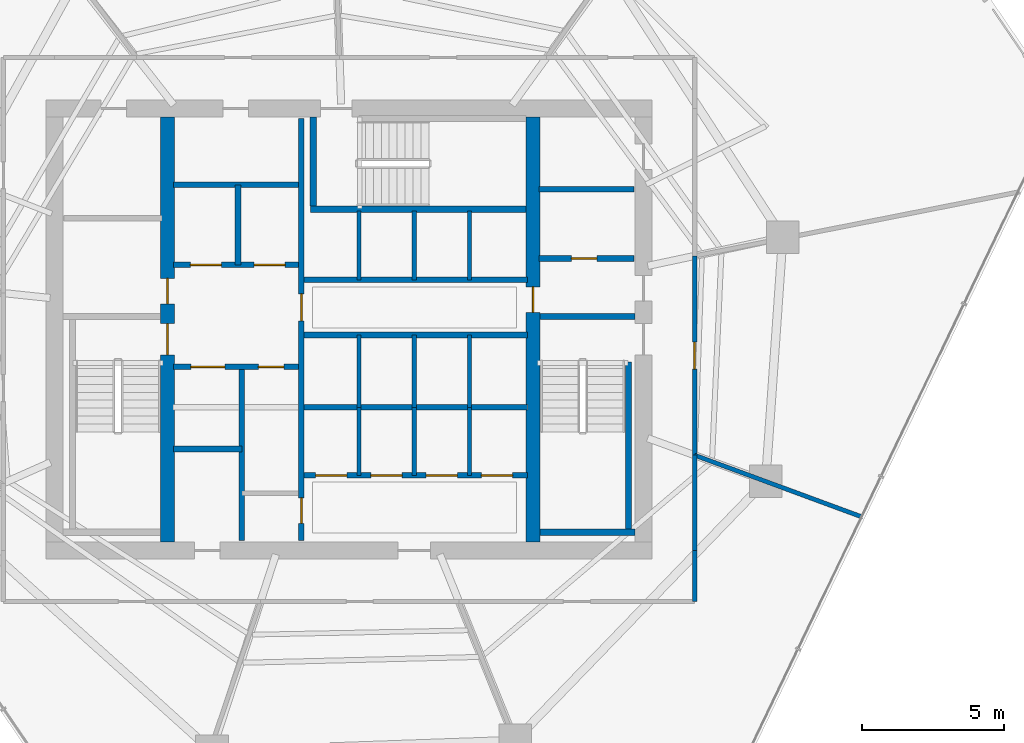
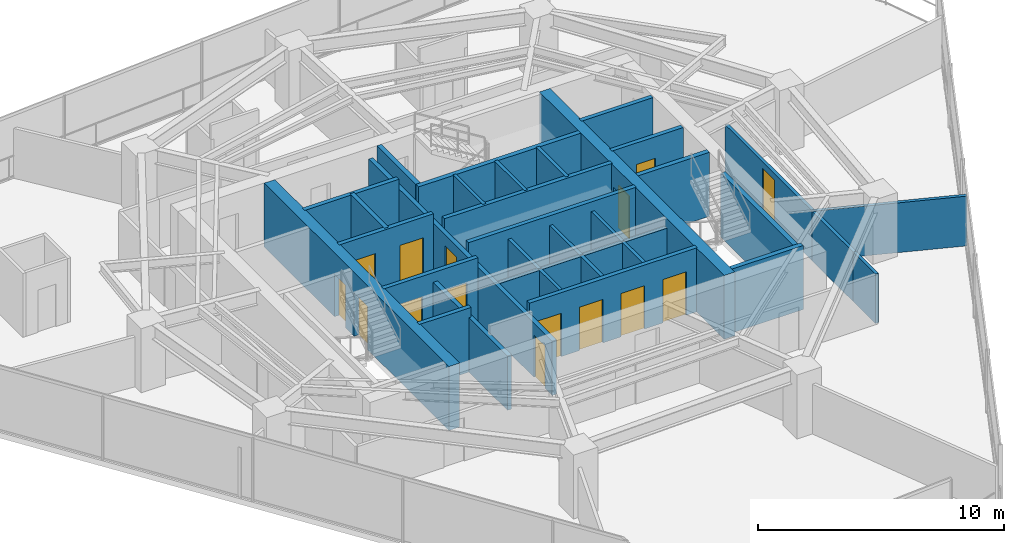
# One storey, part 25 of 30: 33 walls, 15 doors, 15 openings.
"""IFC4 building model written with IfcOpenShell, lengths in metres."""

from ifc_helpers import new_model, si_unit, direction, frame, frame_2d, origin, place, context, subcontext, project, spatial, rectangle, extrude, material, layer, layer_set, type_object, element, fill, save


model = new_model("IFC4")

# Units and contexts
model_context = context("Model", 3, precision=1e-05, world=origin(), true_north=direction((0.0, 1.0)))
body_context = subcontext(model_context, "Body", "Model", "MODEL_VIEW")
ifc_project = project(units=[si_unit("LENGTHUNIT", "METRE"), si_unit("AREAUNIT", "SQUARE_METRE"), si_unit("VOLUMEUNIT", "CUBIC_METRE"), si_unit("PLANEANGLEUNIT", "RADIAN"), si_unit("MASSUNIT", "GRAM", prefix="KILO")], contexts=[model_context])

# Site, building, storey
site_placement = place(None, origin())
site = spatial("IfcSite", under=ifc_project, at=site_placement, CompositionType="ELEMENT")
building_placement = place(site_placement, origin())
building = spatial("IfcBuilding", under=site, at=building_placement, Name="Qarnah Convention Tower", CompositionType="ELEMENT")
storey_placement = place(building_placement, frame((0.0, 0.0, 83.25)))
storey = spatial("IfcBuildingStorey", under=building, at=storey_placement, Name="L21", CompositionType="ELEMENT", Elevation=83.25)

# Wall, openings, doors
ifc_material_1 = material(Name="Concrete C60/75", Category="concrete")
ifc_layer_1 = layer(ifc_material_1, 0.5)
ifc_layer_set_1 = layer_set([ifc_layer_1], Name="Concrete C60/75")
wall_type_1 = type_object("IfcWallType", Name="WL-CORE-INT-400", PredefinedType="SHEAR", material=ifc_layer_set_1)
wall_1_placement = place(storey_placement, frame((30.800048828125, 18.89990234375, 0.0), z_axis=(0.0, 0.0, 1.0), x_axis=(0.0, 1.0, 0.0)))
wall_1 = element("IfcWall", 1, at=wall_1_placement, inside=storey, type_object=wall_type_1, Name="L21 core west spine shear wall", PredefinedType="SHEAR", context=body_context, shape_type="SweptSolid", body=[
    extrude(rectangle(XDim=15.0, YDim=0.5, at=frame_2d((7.5, 0.0))), origin(), (0.0, 0.0, 1.0), 3.169921875),
])
opening_1_placement = place(wall_1_placement, frame((6.60009765625, 0.0, 0.0)))
opening_1 = element("IfcOpeningElement", 2, at=opening_1_placement, cuts=wall_1, Name="Opening D-2101", PredefinedType="OPENING", context=body_context, shape_type="SweptSolid", body=[
    extrude(rectangle(XDim=1.10009765625, YDim=2.14990234375, at=frame_2d((0.550048828125, 1.074951171875))), frame((0.0, 0.260009765625, 0.0), z_axis=(0.0, -1.0, 0.0), x_axis=(1.0, 0.0, 0.0)), (0.0, 0.0, 1.0), 0.52001953125),
])
opening_2_placement = place(wall_1_placement, frame((8.39990234375, 0.0, 0.0)))
opening_2 = element("IfcOpeningElement", 3, at=opening_2_placement, cuts=wall_1, Name="Opening D-2108", PredefinedType="OPENING", context=body_context, shape_type="SweptSolid", body=[
    extrude(rectangle(XDim=0.89990234375, YDim=2.10009765625, at=frame_2d((0.449951171875, 1.050048828125))), frame((0.0, 0.260009765625, 0.0), z_axis=(0.0, -1.0, 0.0), x_axis=(1.0, 0.0, 0.0)), (0.0, 0.0, 1.0), 0.52001953125),
])
ifc_material_2 = material(Name="Structural steel S355JR", Category="steel")
door_type_1 = type_object("IfcDoorType", Name="DT-RISER-900", OperationType="NOTDEFINED", PredefinedType="DOOR", material=ifc_material_2)
door_1_placement = place(opening_2_placement, origin())
door_1 = element("IfcDoor", 4, at=door_1_placement, inside=storey, type_object=door_type_1, Name="Door D-2108", OperationType="SINGLE_SWING_RIGHT", OverallHeight=2.10009765625, OverallWidth=0.89990234375, PredefinedType="DOOR", context=body_context, shape_type="SweptSolid", body=[
    extrude(rectangle(XDim=0.89990234375, YDim=2.10009765625, at=frame_2d((0.449951171875, 1.050048828125))), frame((0.0, 0.02490234375, 0.0), z_axis=(0.0, -1.0, 0.0), x_axis=(1.0, 0.0, 0.0)), (0.0, 0.0, 1.0), 0.050048828125),
])
fill(opening_2, door_1)
door_type_2 = type_object("IfcDoorType", Name="DT-STAIR-1100", OperationType="NOTDEFINED", PredefinedType="DOOR", material=ifc_material_2)
door_2_placement = place(opening_1_placement, origin())
door_2 = element("IfcDoor", 5, at=door_2_placement, inside=storey, type_object=door_type_2, Name="Door D-2101", OperationType="SINGLE_SWING_LEFT", OverallHeight=2.14990234375, OverallWidth=1.10009765625, PredefinedType="DOOR", context=body_context, shape_type="SweptSolid", body=[
    extrude(rectangle(XDim=1.10009765625, YDim=2.14990234375, at=frame_2d((0.550048828125, 1.074951171875))), frame((0.0, 0.02490234375, 0.0), z_axis=(0.0, -1.0, 0.0), x_axis=(1.0, 0.0, 0.0)), (0.0, 0.0, 1.0), 0.050048828125),
])
fill(opening_1, door_2)

# Wall, opening, door
wall_2_placement = place(storey_placement, frame((43.699951171875, 18.89990234375, 0.0), z_axis=(0.0, 0.0, 1.0), x_axis=(0.0, 1.0, 0.0)))
wall_2 = element("IfcWall", 6, at=wall_2_placement, inside=storey, type_object=wall_type_1, Name="L21 core east spine shear wall", PredefinedType="SHEAR", context=body_context, shape_type="SweptSolid", body=[
    extrude(rectangle(XDim=15.0, YDim=0.5, at=frame_2d((7.5, 0.0))), origin(), (0.0, 0.0, 1.0), 3.169921875),
])
opening_3_placement = place(wall_2_placement, frame((8.10009765625, 0.0, 0.0)))
opening_3 = element("IfcOpeningElement", 7, at=opening_3_placement, cuts=wall_2, Name="Opening D-2105", PredefinedType="OPENING", context=body_context, shape_type="SweptSolid", body=[
    extrude(rectangle(XDim=0.89990234375, YDim=2.10009765625, at=frame_2d((0.449951171875, 1.050048828125))), frame((0.0, 0.260009765625, 0.0), z_axis=(0.0, -1.0, 0.0), x_axis=(1.0, 0.0, 0.0)), (0.0, 0.0, 1.0), 0.52001953125),
])
door_3_placement = place(opening_3_placement, origin())
door_3 = element("IfcDoor", 8, at=door_3_placement, inside=storey, type_object=door_type_1, Name="Door D-2105", OperationType="SINGLE_SWING_LEFT", OverallHeight=2.10009765625, OverallWidth=0.89990234375, PredefinedType="DOOR", context=body_context, shape_type="SweptSolid", body=[
    extrude(rectangle(XDim=0.89990234375, YDim=2.10009765625, at=frame_2d((0.449951171875, 1.050048828125))), frame((0.0, 0.02490234375, 0.0), z_axis=(0.0, -1.0, 0.0), x_axis=(1.0, 0.0, 0.0)), (0.0, 0.0, 1.0), 0.050048828125),
])
fill(opening_3, door_3)

ifc_material_3 = material(Name="Concrete C45/55", Category="concrete")
ifc_layer_2 = layer(ifc_material_3, 0.199951171875)
ifc_layer_set_2 = layer_set([ifc_layer_2], Name="Concrete C45/55")
wall_type_2 = type_object("IfcWallType", Name="WL-CORE-PART-200", PredefinedType="SOLIDWALL", material=ifc_layer_set_2)
wall_3_placement = place(storey_placement, frame((43.89990234375, 28.89990234375, 0.0), z_axis=(0.0, 0.0, 1.0), x_axis=(1.0, 0.0, 0.0)))
wall_3 = element("IfcWall", 9, at=wall_3_placement, inside=storey, type_object=wall_type_2, Name="L21 interior wall IW-L21-EVSTN", PredefinedType="SOLIDWALL", context=body_context, shape_type="SweptSolid", body=[
    extrude(rectangle(XDim=3.35009765625, YDim=0.199951171875, at=frame_2d((1.675048828125, 0.0))), origin(), (0.0, 0.0, 1.0), 3.169921875),
])
opening_4_placement = place(wall_3_placement, frame((1.14990234375, 0.0, 0.0)))
opening_4 = element("IfcOpeningElement", 10, at=opening_4_placement, cuts=wall_3, Name="Opening D-2111", PredefinedType="OPENING", context=body_context, shape_type="SweptSolid", body=[
    extrude(rectangle(XDim=0.89990234375, YDim=2.10009765625, at=frame_2d((0.449951171875, 1.050048828125))), frame((0.0, 0.10986328125, 0.0), z_axis=(0.0, -1.0, 0.0), x_axis=(1.0, 0.0, 0.0)), (0.0, 0.0, 1.0), 0.219970703125),
])
door_4_placement = place(opening_4_placement, origin())
door_4 = element("IfcDoor", 11, at=door_4_placement, inside=storey, type_object=door_type_1, Name="Door D-2111", OperationType="SINGLE_SWING_LEFT", OverallHeight=2.10009765625, OverallWidth=0.89990234375, PredefinedType="DOOR", context=body_context, shape_type="SweptSolid", body=[
    extrude(rectangle(XDim=0.89990234375, YDim=2.10009765625, at=frame_2d((0.449951171875, 1.050048828125))), frame((0.0, 0.02490234375, 0.0), z_axis=(0.0, -1.0, 0.0), x_axis=(1.0, 0.0, 0.0)), (0.0, 0.0, 1.0), 0.050048828125),
])
fill(opening_4, door_4)

# Wall
wall_4_placement = place(storey_placement, frame((43.89990234375, 31.35009765625, 0.0), z_axis=(0.0, 0.0, 1.0), x_axis=(1.0, 0.0, 0.0)))
element("IfcWall", 12, at=wall_4_placement, inside=storey, type_object=wall_type_2, Name="L21 interior wall IW-L21-WTRN", PredefinedType="SOLIDWALL", context=body_context, shape_type="SweptSolid", body=[
    extrude(rectangle(XDim=3.35009765625, YDim=0.199951171875, at=frame_2d((1.675048828125, 0.0))), origin(), (0.0, 0.0, 1.0), 3.169921875),
])

# Wall, openings, doors
wall_5_placement = place(storey_placement, frame((35.52001953125, 18.949951171875, 0.0), z_axis=(0.0, 0.0, 1.0), x_axis=(0.0, 1.0, 0.0)))
wall_5 = element("IfcWall", 13, at=wall_5_placement, inside=storey, type_object=wall_type_2, Name="L21 interior wall IW-L21-CSP", PredefinedType="SOLIDWALL", context=body_context, shape_type="SweptSolid", body=[
    extrude(rectangle(XDim=14.900146484375, YDim=0.199951171875, at=frame_2d((7.4501953125, 0.0))), origin(), (0.0, 0.0, 1.0), 2.69091796875),
])
opening_5_placement = place(wall_5_placement, frame((7.7548828125, 0.0, 0.0)))
opening_5 = element("IfcOpeningElement", 14, at=opening_5_placement, cuts=wall_5, Name="Opening D-2104", PredefinedType="OPENING", context=body_context, shape_type="SweptSolid", body=[
    extrude(rectangle(XDim=0.949951171875, YDim=2.14990234375, at=frame_2d((0.47509765625, 1.074951171875))), frame((0.0, 0.10986328125, 0.0), z_axis=(0.0, -1.0, 0.0), x_axis=(1.0, 0.0, 0.0)), (0.0, 0.0, 1.0), 0.219970703125),
])
opening_6_placement = place(wall_5_placement, frame((0.60009765625, 0.0, 0.0)))
opening_6 = element("IfcOpeningElement", 15, at=opening_6_placement, cuts=wall_5, Name="Opening D-2114", PredefinedType="OPENING", context=body_context, shape_type="SweptSolid", body=[
    extrude(rectangle(XDim=0.89990234375, YDim=2.10009765625, at=frame_2d((0.449951171875, 1.050048828125))), frame((0.0, 0.10986328125, 0.0), z_axis=(0.0, -1.0, 0.0), x_axis=(1.0, 0.0, 0.0)), (0.0, 0.0, 1.0), 0.219970703125),
])
ifc_material_4 = material(Name="Oak timber veneer", Category="wood")
door_type_3 = type_object("IfcDoorType", Name="DT-HOTEL-950", OperationType="NOTDEFINED", PredefinedType="DOOR", material=ifc_material_4)
door_5_placement = place(opening_5_placement, origin())
door_5 = element("IfcDoor", 16, at=door_5_placement, inside=storey, type_object=door_type_3, Name="Door D-2104", OperationType="SINGLE_SWING_RIGHT", OverallHeight=2.14990234375, OverallWidth=0.949951171875, PredefinedType="DOOR", context=body_context, shape_type="SweptSolid", body=[
    extrude(rectangle(XDim=0.949951171875, YDim=2.14990234375, at=frame_2d((0.47509765625, 1.074951171875))), frame((0.0, 0.02490234375, 0.0), z_axis=(0.0, -1.0, 0.0), x_axis=(1.0, 0.0, 0.0)), (0.0, 0.0, 1.0), 0.050048828125),
])
fill(opening_5, door_5)
door_6_placement = place(opening_6_placement, origin())
door_6 = element("IfcDoor", 17, at=door_6_placement, inside=storey, type_object=door_type_1, Name="Door D-2114", OperationType="SINGLE_SWING_RIGHT", OverallHeight=2.10009765625, OverallWidth=0.89990234375, PredefinedType="DOOR", context=body_context, shape_type="SweptSolid", body=[
    extrude(rectangle(XDim=0.89990234375, YDim=2.10009765625, at=frame_2d((0.449951171875, 1.050048828125))), frame((0.0, 0.02490234375, 0.0), z_axis=(0.0, -1.0, 0.0), x_axis=(1.0, 0.0, 0.0)), (0.0, 0.0, 1.0), 0.050048828125),
])
fill(opening_6, door_6)

wall_6_placement = place(storey_placement, frame((31.0, 28.679931640625, 0.0), z_axis=(0.0, 0.0, 1.0), x_axis=(1.0, 0.0, 0.0)))
wall_6 = element("IfcWall", 18, at=wall_6_placement, inside=storey, type_object=wall_type_2, Name="L21 interior wall IW-L21-FFLS", PredefinedType="SOLIDWALL", context=body_context, shape_type="SweptSolid", body=[
    extrude(rectangle(XDim=4.419921875, YDim=0.199951171875, at=frame_2d((2.2099609375, 0.0))), origin(), (0.0, 0.0, 1.0), 3.169921875),
])
opening_7_placement = place(wall_6_placement, frame((0.60009765625, 0.0, 0.0)))
opening_7 = element("IfcOpeningElement", 19, at=opening_7_placement, cuts=wall_6, Name="Opening LD-2101", PredefinedType="OPENING", context=body_context, shape_type="SweptSolid", body=[
    extrude(rectangle(XDim=1.10009765625, YDim=2.14990234375, at=frame_2d((0.550048828125, 1.074951171875))), frame((0.0, 0.10986328125, 0.0), z_axis=(0.0, -1.0, 0.0), x_axis=(1.0, 0.0, 0.0)), (0.0, 0.0, 1.0), 0.219970703125),
])
opening_8_placement = place(wall_6_placement, frame((2.85009765625, 0.0, 0.0)))
opening_8 = element("IfcOpeningElement", 20, at=opening_8_placement, cuts=wall_6, Name="Opening LD-2102", PredefinedType="OPENING", context=body_context, shape_type="SweptSolid", body=[
    extrude(rectangle(XDim=1.10009765625, YDim=2.14990234375, at=frame_2d((0.550048828125, 1.074951171875))), frame((0.0, 0.10986328125, 0.0), z_axis=(0.0, -1.0, 0.0), x_axis=(1.0, 0.0, 0.0)), (0.0, 0.0, 1.0), 0.219970703125),
])
door_type_4 = type_object("IfcDoorType", Name="DT-LIFT-1100", OperationType="SLIDING_TO_LEFT", PredefinedType="DOOR", material=ifc_material_2)
door_7_placement = place(opening_7_placement, origin())
door_7 = element("IfcDoor", 21, at=door_7_placement, inside=storey, type_object=door_type_4, Name="Door LD-2101", OperationType="SLIDING_TO_LEFT", OverallHeight=2.14990234375, OverallWidth=1.10009765625, PredefinedType="DOOR", context=body_context, shape_type="SweptSolid", body=[
    extrude(rectangle(XDim=1.10009765625, YDim=2.14990234375, at=frame_2d((0.550048828125, 1.074951171875))), frame((0.0, 0.02490234375, 0.0), z_axis=(0.0, -1.0, 0.0), x_axis=(1.0, 0.0, 0.0)), (0.0, 0.0, 1.0), 0.050048828125),
])
fill(opening_7, door_7)
door_8_placement = place(opening_8_placement, origin())
door_8 = element("IfcDoor", 22, at=door_8_placement, inside=storey, type_object=door_type_4, Name="Door LD-2102", OperationType="SLIDING_TO_LEFT", OverallHeight=2.14990234375, OverallWidth=1.10009765625, PredefinedType="DOOR", context=body_context, shape_type="SweptSolid", body=[
    extrude(rectangle(XDim=1.10009765625, YDim=2.14990234375, at=frame_2d((0.550048828125, 1.074951171875))), frame((0.0, 0.02490234375, 0.0), z_axis=(0.0, -1.0, 0.0), x_axis=(1.0, 0.0, 0.0)), (0.0, 0.0, 1.0), 0.050048828125),
])
fill(opening_8, door_8)

# Walls
wall_7_placement = place(storey_placement, frame((31.0, 31.5, 0.0), z_axis=(0.0, 0.0, 1.0), x_axis=(1.0, 0.0, 0.0)))
element("IfcWall", 23, at=wall_7_placement, inside=storey, type_object=wall_type_2, Name="L21 interior wall IW-L21-FFLN", PredefinedType="SOLIDWALL", context=body_context, shape_type="SweptSolid", body=[
    extrude(rectangle(XDim=4.419921875, YDim=0.199951171875, at=frame_2d((2.2099609375, 0.0))), origin(), (0.0, 0.0, 1.0), 3.169921875),
])
wall_8_placement = place(storey_placement, frame((33.280029296875, 28.679931640625, 0.0), z_axis=(0.0, 0.0, 1.0), x_axis=(0.0, 1.0, 0.0)))
element("IfcWall", 24, at=wall_8_placement, inside=storey, type_object=wall_type_2, Name="L21 interior wall IW-L21-FFLM", PredefinedType="SOLIDWALL", context=body_context, shape_type="SweptSolid", body=[
    extrude(rectangle(XDim=2.820068359375, YDim=0.199951171875, at=frame_2d((1.41015625, 0.0))), origin(), (0.0, 0.0, 1.0), 3.169921875),
])

# Wall, openings, doors
wall_9_placement = place(storey_placement, frame((31.0, 25.080078125, 0.0), z_axis=(0.0, 0.0, 1.0), x_axis=(1.0, 0.0, 0.0)))
wall_9 = element("IfcWall", 25, at=wall_9_placement, inside=storey, type_object=wall_type_2, Name="L21 interior wall IW-L21-FFLBS", PredefinedType="SOLIDWALL", context=body_context, shape_type="SweptSolid", body=[
    extrude(rectangle(XDim=4.419921875, YDim=0.199951171875, at=frame_2d((2.2099609375, 0.0))), origin(), (0.0, 0.0, 1.0), 3.169921875),
])
opening_9_placement = place(wall_9_placement, frame((3.0, 0.0, 0.0)))
opening_9 = element("IfcOpeningElement", 26, at=opening_9_placement, cuts=wall_9, Name="Opening D-2115", PredefinedType="OPENING", context=body_context, shape_type="SweptSolid", body=[
    extrude(rectangle(XDim=0.89990234375, YDim=2.10009765625, at=frame_2d((0.449951171875, 1.050048828125))), frame((0.0, 0.10986328125, 0.0), z_axis=(0.0, -1.0, 0.0), x_axis=(1.0, 0.0, 0.0)), (0.0, 0.0, 1.0), 0.219970703125),
])
opening_10_placement = place(wall_9_placement, frame((0.6201171875, 0.0, 0.0)))
opening_10 = element("IfcOpeningElement", 27, at=opening_10_placement, cuts=wall_9, Name="Opening LD-2103", PredefinedType="OPENING", context=body_context, shape_type="SweptSolid", body=[
    extrude(rectangle(XDim=1.199951171875, YDim=2.14990234375, at=frame_2d((0.60009765625, 1.074951171875))), frame((0.0, 0.10986328125, 0.0), z_axis=(0.0, -1.0, 0.0), x_axis=(1.0, 0.0, 0.0)), (0.0, 0.0, 1.0), 0.219970703125),
])
door_type_5 = type_object("IfcDoorType", Name="DT-LIFT-1200", OperationType="SLIDING_TO_LEFT", PredefinedType="DOOR", material=ifc_material_2)
door_9_placement = place(opening_10_placement, origin())
door_9 = element("IfcDoor", 28, at=door_9_placement, inside=storey, type_object=door_type_5, Name="Door LD-2103", OperationType="SLIDING_TO_LEFT", OverallHeight=2.14990234375, OverallWidth=1.199951171875, PredefinedType="DOOR", context=body_context, shape_type="SweptSolid", body=[
    extrude(rectangle(XDim=1.199951171875, YDim=2.14990234375, at=frame_2d((0.60009765625, 1.074951171875))), frame((0.0, 0.02490234375, 0.0), z_axis=(0.0, -1.0, 0.0), x_axis=(1.0, 0.0, 0.0)), (0.0, 0.0, 1.0), 0.050048828125),
])
fill(opening_10, door_9)
door_10_placement = place(opening_9_placement, origin())
door_10 = element("IfcDoor", 29, at=door_10_placement, inside=storey, type_object=door_type_1, Name="Door D-2115", OperationType="SINGLE_SWING_LEFT", OverallHeight=2.10009765625, OverallWidth=0.89990234375, PredefinedType="DOOR", context=body_context, shape_type="SweptSolid", body=[
    extrude(rectangle(XDim=0.89990234375, YDim=2.10009765625, at=frame_2d((0.449951171875, 1.050048828125))), frame((0.0, 0.02490234375, 0.0), z_axis=(0.0, -1.0, 0.0), x_axis=(1.0, 0.0, 0.0)), (0.0, 0.0, 1.0), 0.050048828125),
])
fill(opening_9, door_10)

# Walls
wall_10_placement = place(storey_placement, frame((33.419921875, 18.949951171875, 0.0), z_axis=(0.0, 0.0, 1.0), x_axis=(0.0, 1.0, 0.0)))
element("IfcWall", 30, at=wall_10_placement, inside=storey, type_object=wall_type_2, Name="L21 interior wall IW-L21-SVLE", PredefinedType="SOLIDWALL", context=body_context, shape_type="SweptSolid", body=[
    extrude(rectangle(XDim=6.130126953125, YDim=0.199951171875, at=frame_2d((3.06494140625, 0.0))), origin(), (0.0, 0.0, 1.0), 2.69091796875),
])
wall_11_placement = place(storey_placement, frame((31.0, 22.179931640625, 0.0), z_axis=(0.0, 0.0, 1.0), x_axis=(1.0, 0.0, 0.0)))
element("IfcWall", 31, at=wall_11_placement, inside=storey, type_object=wall_type_2, Name="L21 interior wall IW-L21-SVLS", PredefinedType="SOLIDWALL", context=body_context, shape_type="SweptSolid", body=[
    extrude(rectangle(XDim=2.419921875, YDim=0.199951171875, at=frame_2d((1.2099609375, 0.0))), origin(), (0.0, 0.0, 1.0), 3.169921875),
])
for number, where, z_axis, x_axis, name in (
    (32, (35.6201171875, 28.14990234375, 0.0), (0.0, 0.0, 1.0), (1.0, 0.0, 0.0), "L21 interior wall IW-L21-PHS"),
    (33, (35.6201171875, 26.199951171875, 0.0), (0.0, 0.0, 1.0), (1.0, 0.0, 0.0), "L21 interior wall IW-L21-PMN"),
):
    element("IfcWall", number, at=place(storey_placement, frame(where, z_axis=z_axis, x_axis=x_axis)), inside=storey, type_object=wall_type_2, Name=name, PredefinedType="SOLIDWALL", context=body_context, shape_type="SweptSolid", body=[
        extrude(rectangle(XDim=7.8798828125, YDim=0.199951171875, at=frame_2d((3.93994140625, 0.0))), origin(), (0.0, 0.0, 1.0), 3.169921875),
    ])
wall_12_placement = place(storey_placement, frame((35.6201171875, 23.64990234375, 0.0), z_axis=(0.0, 0.0, 1.0), x_axis=(1.0, 0.0, 0.0)))
element("IfcWall", 34, at=wall_12_placement, inside=storey, type_object=wall_type_2, Name="L21 interior wall IW-L21-PMPL", PredefinedType="SOLIDWALL", context=body_context, shape_type="SweptSolid", body=[
    extrude(rectangle(XDim=7.8798828125, YDim=0.199951171875, at=frame_2d((3.93994140625, 0.0))), origin(), (0.0, 0.0, 1.0), 2.69091796875),
])

# Wall, openings, doors
wall_13_placement = place(storey_placement, frame((35.6201171875, 21.25, 0.0), z_axis=(0.0, 0.0, 1.0), x_axis=(1.0, 0.0, 0.0)))
wall_13 = element("IfcWall", 35, at=wall_13_placement, inside=storey, type_object=wall_type_2, Name="L21 interior wall IW-L21-PLS", PredefinedType="SOLIDWALL", context=body_context, shape_type="SweptSolid", body=[
    extrude(rectangle(XDim=7.8798828125, YDim=0.199951171875, at=frame_2d((3.93994140625, 0.0))), origin(), (0.0, 0.0, 1.0), 3.169921875),
])
opening_11_placement = place(wall_13_placement, frame((0.405029296875, 0.0, 0.0)))
opening_11 = element("IfcOpeningElement", 36, at=opening_11_placement, cuts=wall_13, Name="Opening LD-2104", PredefinedType="OPENING", context=body_context, shape_type="SweptSolid", body=[
    extrude(rectangle(XDim=1.10009765625, YDim=2.14990234375, at=frame_2d((0.550048828125, 1.074951171875))), frame((0.0, 0.10986328125, 0.0), z_axis=(0.0, -1.0, 0.0), x_axis=(1.0, 0.0, 0.0)), (0.0, 0.0, 1.0), 0.219970703125),
])
opening_12_placement = place(wall_13_placement, frame((2.35498046875, 0.0, 0.0)))
opening_12 = element("IfcOpeningElement", 37, at=opening_12_placement, cuts=wall_13, Name="Opening LD-2105", PredefinedType="OPENING", context=body_context, shape_type="SweptSolid", body=[
    extrude(rectangle(XDim=1.10009765625, YDim=2.14990234375, at=frame_2d((0.550048828125, 1.074951171875))), frame((0.0, 0.10986328125, 0.0), z_axis=(0.0, -1.0, 0.0), x_axis=(1.0, 0.0, 0.0)), (0.0, 0.0, 1.0), 0.219970703125),
])
opening_13_placement = place(wall_13_placement, frame((4.304931640625, 0.0, 0.0)))
opening_13 = element("IfcOpeningElement", 38, at=opening_13_placement, cuts=wall_13, Name="Opening LD-2106", PredefinedType="OPENING", context=body_context, shape_type="SweptSolid", body=[
    extrude(rectangle(XDim=1.10009765625, YDim=2.14990234375, at=frame_2d((0.550048828125, 1.074951171875))), frame((0.0, 0.10986328125, 0.0), z_axis=(0.0, -1.0, 0.0), x_axis=(1.0, 0.0, 0.0)), (0.0, 0.0, 1.0), 0.219970703125),
])
opening_14_placement = place(wall_13_placement, frame((6.2548828125, 0.0, 0.0)))
opening_14 = element("IfcOpeningElement", 39, at=opening_14_placement, cuts=wall_13, Name="Opening LD-2107", PredefinedType="OPENING", context=body_context, shape_type="SweptSolid", body=[
    extrude(rectangle(XDim=1.10009765625, YDim=2.14990234375, at=frame_2d((0.550048828125, 1.074951171875))), frame((0.0, 0.10986328125, 0.0), z_axis=(0.0, -1.0, 0.0), x_axis=(1.0, 0.0, 0.0)), (0.0, 0.0, 1.0), 0.219970703125),
])
door_11_placement = place(opening_11_placement, origin())
door_11 = element("IfcDoor", 40, at=door_11_placement, inside=storey, type_object=door_type_4, Name="Door LD-2104", OperationType="SLIDING_TO_LEFT", OverallHeight=2.14990234375, OverallWidth=1.10009765625, PredefinedType="DOOR", context=body_context, shape_type="SweptSolid", body=[
    extrude(rectangle(XDim=1.10009765625, YDim=2.14990234375, at=frame_2d((0.550048828125, 1.074951171875))), frame((0.0, 0.02490234375, 0.0), z_axis=(0.0, -1.0, 0.0), x_axis=(1.0, 0.0, 0.0)), (0.0, 0.0, 1.0), 0.050048828125),
])
fill(opening_11, door_11)
door_12_placement = place(opening_12_placement, origin())
door_12 = element("IfcDoor", 41, at=door_12_placement, inside=storey, type_object=door_type_4, Name="Door LD-2105", OperationType="SLIDING_TO_LEFT", OverallHeight=2.14990234375, OverallWidth=1.10009765625, PredefinedType="DOOR", context=body_context, shape_type="SweptSolid", body=[
    extrude(rectangle(XDim=1.10009765625, YDim=2.14990234375, at=frame_2d((0.550048828125, 1.074951171875))), frame((0.0, 0.02490234375, 0.0), z_axis=(0.0, -1.0, 0.0), x_axis=(1.0, 0.0, 0.0)), (0.0, 0.0, 1.0), 0.050048828125),
])
fill(opening_12, door_12)
door_13_placement = place(opening_13_placement, origin())
door_13 = element("IfcDoor", 42, at=door_13_placement, inside=storey, type_object=door_type_4, Name="Door LD-2106", OperationType="SLIDING_TO_LEFT", OverallHeight=2.14990234375, OverallWidth=1.10009765625, PredefinedType="DOOR", context=body_context, shape_type="SweptSolid", body=[
    extrude(rectangle(XDim=1.10009765625, YDim=2.14990234375, at=frame_2d((0.550048828125, 1.074951171875))), frame((0.0, 0.02490234375, 0.0), z_axis=(0.0, -1.0, 0.0), x_axis=(1.0, 0.0, 0.0)), (0.0, 0.0, 1.0), 0.050048828125),
])
fill(opening_13, door_13)
door_14_placement = place(opening_14_placement, origin())
door_14 = element("IfcDoor", 43, at=door_14_placement, inside=storey, type_object=door_type_4, Name="Door LD-2107", OperationType="SLIDING_TO_LEFT", OverallHeight=2.14990234375, OverallWidth=1.10009765625, PredefinedType="DOOR", context=body_context, shape_type="SweptSolid", body=[
    extrude(rectangle(XDim=1.10009765625, YDim=2.14990234375, at=frame_2d((0.550048828125, 1.074951171875))), frame((0.0, 0.02490234375, 0.0), z_axis=(0.0, -1.0, 0.0), x_axis=(1.0, 0.0, 0.0)), (0.0, 0.0, 1.0), 0.050048828125),
])
fill(opening_14, door_14)

# Walls
ifc_layer_3 = layer(ifc_material_1, 0.219970703125)
ifc_layer_set_3 = layer_set([ifc_layer_3], Name="Concrete C60/75")
wall_type_3 = type_object("IfcWallType", Name="WL-CORE-STAIR-220", PredefinedType="SHEAR", material=ifc_layer_set_3)
wall_14_placement = place(storey_placement, frame((43.949951171875, 26.860107421875, 0.0), z_axis=(0.0, 0.0, 1.0), x_axis=(1.0, 0.0, 0.0)))
element("IfcWall", 44, at=wall_14_placement, inside=storey, type_object=wall_type_3, Name="L21 stair shaft shear wall SW-L21-ST2N", PredefinedType="SHEAR", context=body_context, shape_type="SweptSolid", body=[
    extrude(rectangle(XDim=3.35009765625, YDim=0.219970703125, at=frame_2d((1.675048828125, 0.0))), origin(), (0.0, 0.0, 1.0), 3.169921875),
])
wall_15_placement = place(storey_placement, frame((47.06005859375, 19.35009765625, 0.0), z_axis=(0.0, 0.0, 1.0), x_axis=(0.0, 1.0, 0.0)))
element("IfcWall", 45, at=wall_15_placement, inside=storey, type_object=wall_type_3, Name="L21 stair shaft shear wall SW-L21-ST2E", PredefinedType="SHEAR", context=body_context, shape_type="SweptSolid", body=[
    extrude(rectangle(XDim=5.89990234375, YDim=0.219970703125, at=frame_2d((2.949951171875, 0.0))), origin(), (0.0, 0.0, 1.0), 3.169921875),
])
wall_16_placement = place(storey_placement, frame((43.949951171875, 19.239990234375, 0.0), z_axis=(0.0, 0.0, 1.0), x_axis=(1.0, 0.0, 0.0)))
element("IfcWall", 46, at=wall_16_placement, inside=storey, type_object=wall_type_3, Name="L21 stair shaft shear wall SW-L21-ST2S", PredefinedType="SHEAR", context=body_context, shape_type="SweptSolid", body=[
    extrude(rectangle(XDim=3.35009765625, YDim=0.219970703125, at=frame_2d((1.675048828125, 0.0))), origin(), (0.0, 0.0, 1.0), 3.169921875),
])
wall_17_placement = place(storey_placement, frame((35.840087890625, 30.639892578125, 0.0), z_axis=(0.0, 0.0, 1.0), x_axis=(1.0, 0.0, 0.0)))
element("IfcWall", 47, at=wall_17_placement, inside=storey, type_object=wall_type_3, Name="L21 stair shaft shear wall SW-L21-ST3S", PredefinedType="SHEAR", context=body_context, shape_type="SweptSolid", body=[
    extrude(rectangle(XDim=7.60986328125, YDim=0.219970703125, at=frame_2d((3.804931640625, 0.0))), origin(), (0.0, 0.0, 1.0), 3.169921875),
])
wall_18_placement = place(storey_placement, frame((35.93994140625, 30.75, 0.0), z_axis=(0.0, 0.0, 1.0), x_axis=(0.0, 1.0, 0.0)))
element("IfcWall", 48, at=wall_18_placement, inside=storey, type_object=wall_type_3, Name="L21 stair shaft shear wall SW-L21-ST3W", PredefinedType="SHEAR", context=body_context, shape_type="SweptSolid", body=[
    extrude(rectangle(XDim=3.14990234375, YDim=0.219970703125, at=frame_2d((1.574951171875, 0.0))), origin(), (0.0, 0.0, 1.0), 3.169921875),
])
ifc_material_5 = material(Name="Gypsum partition board")
ifc_layer_4 = layer(ifc_material_5, 0.14990234375)
ifc_layer_set_4 = layer_set([ifc_layer_4], Name="Gypsum partition board")
wall_type_4 = type_object("IfcWallType", Name="WL-SUITE-150", PredefinedType="PARTITIONING", material=ifc_layer_set_4)
for number, where, z_axis, x_axis, name in (
    (49, (37.550048828125, 28.14990234375, 0.0), (0.0, 0.0, 1.0), (0.0, 1.0, 0.0), "L21 interior wall IW-L21-PHD1"),
    (50, (39.5, 28.14990234375, 0.0), (0.0, 0.0, 1.0), (0.0, 1.0, 0.0), "L21 interior wall IW-L21-PHD2"),
    (51, (41.449951171875, 28.14990234375, 0.0), (0.0, 0.0, 1.0), (0.0, 1.0, 0.0), "L21 interior wall IW-L21-PHD3"),
):
    element("IfcWall", number, at=place(storey_placement, frame(where, z_axis=z_axis, x_axis=x_axis)), inside=storey, type_object=wall_type_4, Name=name, PredefinedType="PARTITIONING", context=body_context, shape_type="SweptSolid", body=[
        extrude(rectangle(XDim=2.43017578125, YDim=0.14990234375, at=frame_2d((1.215087890625, 0.0))), origin(), (0.0, 0.0, 1.0), 3.169921875),
    ])
for number, where, z_axis, x_axis, name in (
    (52, (37.550048828125, 23.64990234375, 0.0), (0.0, 0.0, 1.0), (0.0, 1.0, 0.0), "L21 interior wall IW-L21-PMD1"),
    (53, (39.5, 23.64990234375, 0.0), (0.0, 0.0, 1.0), (0.0, 1.0, 0.0), "L21 interior wall IW-L21-PMD2"),
    (54, (41.449951171875, 23.64990234375, 0.0), (0.0, 0.0, 1.0), (0.0, 1.0, 0.0), "L21 interior wall IW-L21-PMD3"),
):
    element("IfcWall", number, at=place(storey_placement, frame(where, z_axis=z_axis, x_axis=x_axis)), inside=storey, type_object=wall_type_4, Name=name, PredefinedType="PARTITIONING", context=body_context, shape_type="SweptSolid", body=[
        extrude(rectangle(XDim=2.550048828125, YDim=0.14990234375, at=frame_2d((1.27490234375, 0.0))), origin(), (0.0, 0.0, 1.0), 2.69091796875),
    ])
for number, where, z_axis, x_axis, name in (
    (55, (37.550048828125, 21.25, 0.0), (0.0, 0.0, 1.0), (0.0, 1.0, 0.0), "L21 interior wall IW-L21-PLD1"),
    (56, (39.5, 21.25, 0.0), (0.0, 0.0, 1.0), (0.0, 1.0, 0.0), "L21 interior wall IW-L21-PLD2"),
    (57, (41.449951171875, 21.25, 0.0), (0.0, 0.0, 1.0), (0.0, 1.0, 0.0), "L21 interior wall IW-L21-PLD3"),
):
    element("IfcWall", number, at=place(storey_placement, frame(where, z_axis=z_axis, x_axis=x_axis)), inside=storey, type_object=wall_type_4, Name=name, PredefinedType="PARTITIONING", context=body_context, shape_type="SweptSolid", body=[
        extrude(rectangle(XDim=2.39990234375, YDim=0.14990234375, at=frame_2d((1.199951171875, 0.0))), origin(), (0.0, 0.0, 1.0), 2.69091796875),
    ])
wall_19_placement = place(storey_placement, frame((55.330078125, 19.77197265625, 0.0), z_axis=(0.0, 0.0, 1.0), x_axis=(-0.938179471716, 0.346149214719, 0.0)))
element("IfcWall", 58, at=wall_19_placement, inside=storey, type_object=wall_type_4, Name="L21 interior wall IW-L21-R-34", PredefinedType="PARTITIONING", context=body_context, shape_type="SweptSolid", body=[
    extrude(rectangle(XDim=6.321044921875, YDim=0.14990234375, at=frame_2d((3.16064453125, 0.0))), origin(), (0.0, 0.0, 1.0), 2.467041015625),
])
wall_20_placement = place(storey_placement, frame((49.39990234375, 21.9599609375, 0.0), z_axis=(0.0, 0.0, 1.0), x_axis=(0.0, -1.0, 0.0)))
element("IfcWall", 59, at=wall_20_placement, inside=storey, type_object=wall_type_4, Name="L21 interior wall IW-L21-R-35", PredefinedType="PARTITIONING", context=body_context, shape_type="SweptSolid", body=[
    extrude(rectangle(XDim=3.35986328125, YDim=0.14990234375, at=frame_2d((1.679931640625, 0.0))), origin(), (0.0, 0.0, 1.0), 2.455078125),
])
wall_21_placement = place(storey_placement, frame((49.39990234375, 18.60009765625, 0.0), z_axis=(0.0, 0.0, 1.0), x_axis=(0.0, -1.0, 0.0)))
element("IfcWall", 60, at=wall_21_placement, inside=storey, type_object=wall_type_4, Name="L21 interior wall IW-L21-R-36", PredefinedType="PARTITIONING", context=body_context, shape_type="SweptSolid", body=[
    extrude(rectangle(XDim=1.800048828125, YDim=0.14990234375, at=frame_2d((0.89990234375, 0.0))), origin(), (0.0, 0.0, 1.0), 2.455078125),
])

# Wall, opening, door
wall_22_placement = place(storey_placement, frame((49.39990234375, 28.992919921875, 0.0), z_axis=(0.0, 0.0, 1.0), x_axis=(0.0, -1.0, 0.0)))
wall_22 = element("IfcWall", 61, at=wall_22_placement, inside=storey, type_object=wall_type_4, Name="L21 interior wall IW-L21-R-38", PredefinedType="PARTITIONING", context=body_context, shape_type="SweptSolid", body=[
    extrude(rectangle(XDim=7.032958984375, YDim=0.14990234375, at=frame_2d((3.5166015625, 0.0))), origin(), (0.0, 0.0, 1.0), 2.467041015625),
])
opening_15_placement = place(wall_22_placement, frame((3.041015625, 0.0, 0.0)))
opening_15 = element("IfcOpeningElement", 62, at=opening_15_placement, cuts=wall_22, Name="Opening D-2127", PredefinedType="OPENING", context=body_context, shape_type="SweptSolid", body=[
    extrude(rectangle(XDim=0.949951171875, YDim=2.14990234375, at=frame_2d((0.47509765625, 1.074951171875))), frame((0.0, 0.0849609375, 0.0), z_axis=(0.0, -1.0, 0.0), x_axis=(1.0, 0.0, 0.0)), (0.0, 0.0, 1.0), 0.169921875),
])
door_15_placement = place(opening_15_placement, origin())
door_15 = element("IfcDoor", 63, at=door_15_placement, inside=storey, type_object=door_type_3, Name="Door D-2127", OperationType="SINGLE_SWING_LEFT", OverallHeight=2.14990234375, OverallWidth=0.949951171875, PredefinedType="DOOR", context=body_context, shape_type="SweptSolid", body=[
    extrude(rectangle(XDim=0.949951171875, YDim=2.14990234375, at=frame_2d((0.47509765625, 1.074951171875))), frame((0.0, 0.02490234375, 0.0), z_axis=(0.0, -1.0, 0.0), x_axis=(1.0, 0.0, 0.0)), (0.0, 0.0, 1.0), 0.050048828125),
])
fill(opening_15, door_15)

save(model, "model.ifc")
